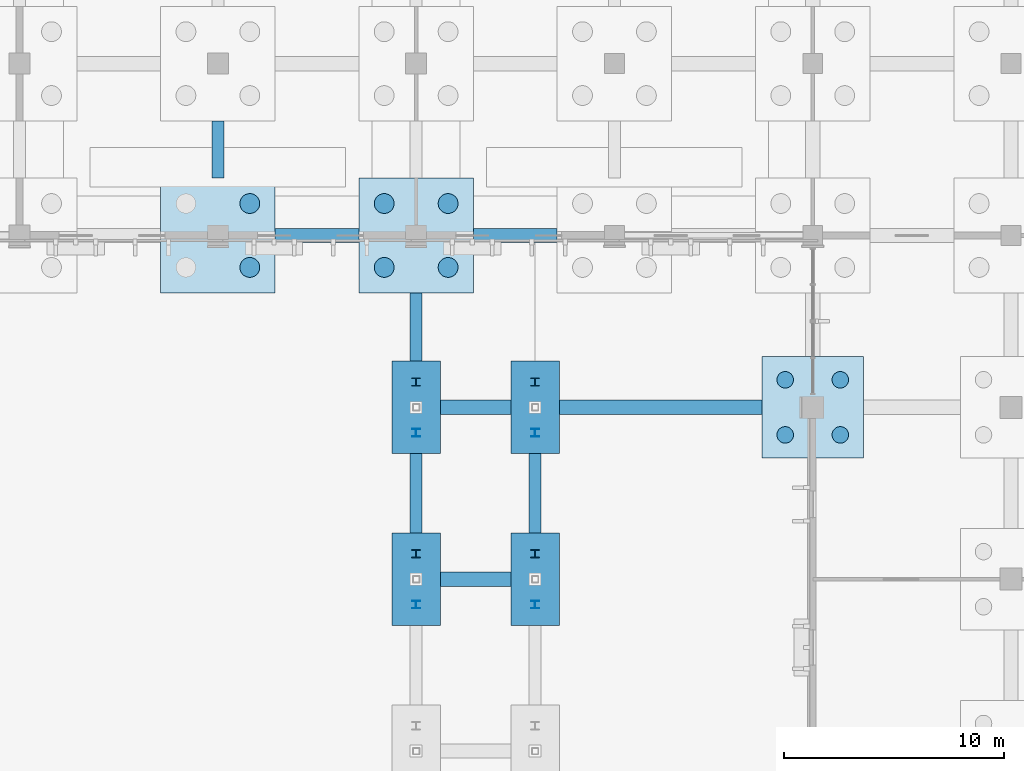
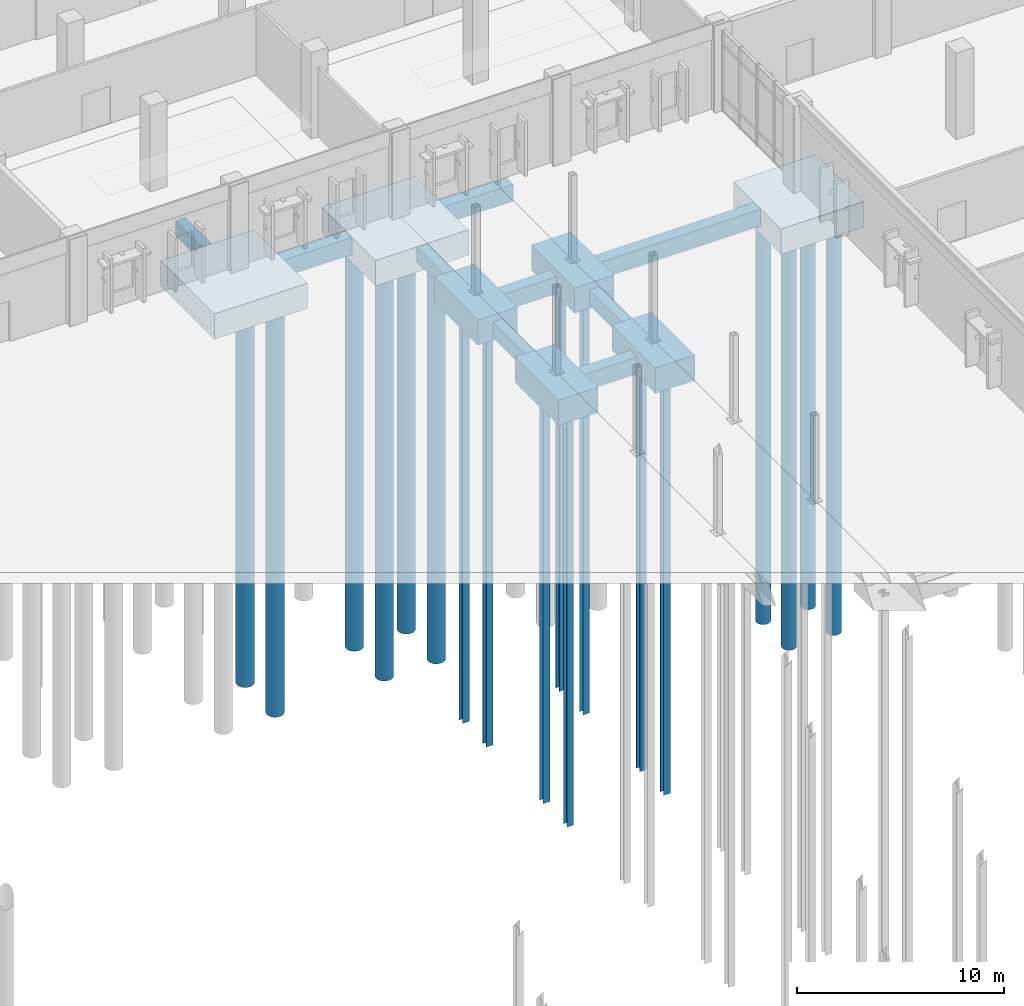
# One storey, part 10 of 94: 18 piles, 16 footings.
"""IFC4 building model written with IfcOpenShell, lengths in metres."""

from ifc_helpers import new_model, si_unit, direction, frame, origin, origin_2d, place, context, subcontext, project, spatial, rectangle, circle, i_section, extrude, material, material_profile, profile_set, type_object, element, save


model = new_model("IFC4")

# Units and contexts
model_context = context("Model", 3, precision=1e-05, world=origin(), true_north=direction((0.0, 1.0)))
body_context = subcontext(model_context, "Body", "Model", "MODEL_VIEW")
ifc_project = project(units=[si_unit("LENGTHUNIT", "METRE"), si_unit("AREAUNIT", "SQUARE_METRE"), si_unit("VOLUMEUNIT", "CUBIC_METRE"), si_unit("PLANEANGLEUNIT", "RADIAN"), si_unit("MASSUNIT", "GRAM", prefix="KILO")], contexts=[model_context])

# Site, building, storey
site_placement = place(None, origin())
site = spatial("IfcSite", under=ifc_project, at=site_placement, CompositionType="ELEMENT")
building_placement = place(site_placement, origin())
building = spatial("IfcBuilding", under=site, at=building_placement, Name="Vervanel Yard Central Library", CompositionType="ELEMENT")
storey_placement = place(building_placement, origin())
storey = spatial("IfcBuildingStorey", under=building, at=storey_placement, Name="L00", CompositionType="ELEMENT", Elevation=0.0)

# Piles
ifc_material_1 = material(Name="Concrete C40/50", Category="concrete")
ifc_material_profile_1 = material_profile(ifc_material_1, circle(Radius=0.375, at=origin_2d()), Name="BP D750", Category="concrete")
ifc_profile_set_1 = profile_set([ifc_material_profile_1], Name="Concrete C40/50")
pile_type_1 = type_object("IfcPileType", Name="Bored Concrete Pile D750", PredefinedType="BORED", material=ifc_profile_set_1)
for number, where, z_axis, x_axis, name in (
    (1, (88.75, 73.14990234375, -1.75), (0.0, 0.0, -1.0), (1.0, 0.0, 0.0), "Bored Concrete Pile 281 under PCAP-069"),
    (2, (91.25, 73.14990234375, -1.75), (0.0, 0.0, -1.0), (1.0, 0.0, 0.0), "Bored Concrete Pile 282 under PCAP-069"),
    (3, (88.75, 75.64990234375, -1.75), (0.0, 0.0, -1.0), (1.0, 0.0, 0.0), "Bored Concrete Pile 283 under PCAP-069"),
    (4, (91.25, 75.64990234375, -1.75), (0.0, 0.0, -1.0), (1.0, 0.0, 0.0), "Bored Concrete Pile 284 under PCAP-069"),
):
    element("IfcPile", number, at=place(storey_placement, frame(where, z_axis=z_axis, x_axis=x_axis)), inside=storey, type_object=pile_type_1, Name=name, PredefinedType="BORED", context=body_context, shape_type="SweptSolid", body=[
        extrude(circle(Radius=0.375, at=origin_2d()), origin(), (0.0, 0.0, 1.0), 24.25),
    ])
ifc_material_profile_2 = material_profile(ifc_material_1, circle(Radius=0.449951171875, at=origin_2d()), Name="BP D900", Category="concrete")
ifc_profile_set_2 = profile_set([ifc_material_profile_2], Name="Concrete C40/50")
pile_type_2 = type_object("IfcPileType", Name="Bored Concrete Pile D900", PredefinedType="BORED", material=ifc_profile_set_2)
for number, where, z_axis, x_axis, name in (
    (5, (64.449951171875, 80.75, -1.75), (0.0, 0.0, -1.0), (1.0, 0.0, 0.0), "Bored Concrete Pile 82 under PCAP-019"),
    (6, (64.449951171875, 83.64990234375, -1.75), (0.0, 0.0, -1.0), (1.0, 0.0, 0.0), "Bored Concrete Pile 84 under PCAP-019"),
    (7, (70.550048828125, 80.75, -1.75), (0.0, 0.0, -1.0), (1.0, 0.0, 0.0), "Bored Concrete Pile 101 under PCAP-024"),
    (8, (73.449951171875, 80.75, -1.75), (0.0, 0.0, -1.0), (1.0, 0.0, 0.0), "Bored Concrete Pile 102 under PCAP-024"),
    (9, (70.550048828125, 83.64990234375, -1.75), (0.0, 0.0, -1.0), (1.0, 0.0, 0.0), "Bored Concrete Pile 103 under PCAP-024"),
    (10, (73.449951171875, 83.64990234375, -1.75), (0.0, 0.0, -1.0), (1.0, 0.0, 0.0), "Bored Concrete Pile 104 under PCAP-024"),
):
    element("IfcPile", number, at=place(storey_placement, frame(where, z_axis=z_axis, x_axis=x_axis)), inside=storey, type_object=pile_type_2, Name=name, PredefinedType="BORED", context=body_context, shape_type="SweptSolid", body=[
        extrude(circle(Radius=0.449951171875, at=origin_2d()), origin(), (0.0, 0.0, 1.0), 24.25),
    ])

# Footings
footing_type_1 = type_object("IfcFootingType", Name="Bridge Pier 2-Pile Cap 2200x4200x1500", PredefinedType="PILE_CAP", material=ifc_material_1)
for number, where, z_axis, x_axis, name in (
    (11, (72.0, 66.60009765625, -1.50390625), (0.0, 0.0, 1.0), (1.0, 0.0, 0.0), "Combined Pile Cap PCAP-208 (PC-06)"),
    (12, (72.0, 74.39990234375, -1.50390625), (0.0, 0.0, 1.0), (1.0, 0.0, 0.0), "Combined Pile Cap PCAP-209 (PC-06)"),
    (13, (77.39990234375, 66.60009765625, -1.50390625), (0.0, 0.0, 1.0), (1.0, 0.0, 0.0), "Combined Pile Cap PCAP-215 (PC-06)"),
    (14, (77.39990234375, 74.39990234375, -1.50390625), (0.0, 0.0, 1.0), (1.0, 0.0, 0.0), "Combined Pile Cap PCAP-216 (PC-06)"),
):
    element("IfcFooting", number, at=place(storey_placement, frame(where, z_axis=z_axis, x_axis=x_axis)), inside=storey, type_object=footing_type_1, Name=name, PredefinedType="PILE_CAP", context=body_context, shape_type="SweptSolid", body=[
        extrude(rectangle(XDim=2.199951171875, YDim=4.199951171875, at=origin_2d()), origin(), (0.0, 0.0, 1.0), 1.5),
    ])
footing_type_2 = type_object("IfcFootingType", Name="Combined 4-Pile Cap 4600x4600x1500", PredefinedType="PILE_CAP", material=ifc_material_1)
footing_1_placement = place(storey_placement, frame((90.0, 74.39990234375, -1.89990234375), z_axis=(0.0, 0.0, 1.0), x_axis=(1.0, 0.0, 0.0)))
element("IfcFooting", 15, at=footing_1_placement, inside=storey, type_object=footing_type_2, Name="Combined Pile Cap PCAP-069 (PC-03)", PredefinedType="PILE_CAP", context=body_context, shape_type="SweptSolid", body=[
    extrude(rectangle(XDim=4.60009765625, YDim=4.60009765625, at=origin_2d()), origin(), (0.0, 0.0, 1.0), 1.5),
])
footing_type_3 = type_object("IfcFootingType", Name="Combined 4-Pile Heavy Cap 5200x5200x1500", PredefinedType="PILE_CAP", material=ifc_material_1)
for number, where, z_axis, x_axis, name in (
    (16, (63.0, 82.199951171875, -1.89990234375), (0.0, 0.0, 1.0), (1.0, 0.0, 0.0), "Combined Pile Cap PCAP-019 (PC-04)"),
    (17, (72.0, 82.199951171875, -1.89990234375), (0.0, 0.0, 1.0), (1.0, 0.0, 0.0), "Combined Pile Cap PCAP-024 (PC-04)"),
):
    element("IfcFooting", number, at=place(storey_placement, frame(where, z_axis=z_axis, x_axis=x_axis)), inside=storey, type_object=footing_type_3, Name=name, PredefinedType="PILE_CAP", context=body_context, shape_type="SweptSolid", body=[
        extrude(rectangle(XDim=5.199951171875, YDim=5.199951171875, at=origin_2d()), origin(), (0.0, 0.0, 1.0), 1.5),
    ])
ifc_material_profile_3 = material_profile(ifc_material_1, rectangle(XDim=0.550048828125, YDim=0.89990234375, at=origin_2d()), Name="RC 550x900", Category="concrete")
ifc_profile_set_3 = profile_set([ifc_material_profile_3], Name="Concrete C40/50")
footing_type_4 = type_object("IfcFootingType", Name="Concrete Footing Beam 550x900", PredefinedType="FOOTING_BEAM", material=ifc_profile_set_3)
footing_2_placement = place(storey_placement, frame((63.0, 84.800048828125, -0.8701171875), z_axis=(0.0, 1.0, 0.0), x_axis=(-1.0, 0.0, 0.0)))
element("IfcFooting", 18, at=footing_2_placement, inside=storey, type_object=footing_type_4, Name="Concrete Footing Beam FB-Y-210", PredefinedType="FOOTING_BEAM", context=body_context, shape_type="SweptSolid", body=[
    extrude(rectangle(XDim=0.550048828125, YDim=0.89990234375, at=origin_2d()), origin(), (0.0, 0.0, 1.0), 2.599853515625),
])
footing_3_placement = place(storey_placement, frame((72.0, 68.699951171875, -0.8701171875), z_axis=(0.0, 1.0, 0.0), x_axis=(-1.0, 0.0, 0.0)))
element("IfcFooting", 19, at=footing_3_placement, inside=storey, type_object=footing_type_4, Name="Concrete Footing Beam FB-Y-221", PredefinedType="FOOTING_BEAM", context=body_context, shape_type="SweptSolid", body=[
    extrude(rectangle(XDim=0.550048828125, YDim=0.89990234375, at=origin_2d()), origin(), (0.0, 0.0, 1.0), 3.60009765625),
])
footing_4_placement = place(storey_placement, frame((72.0, 76.5, -0.8701171875), z_axis=(0.0, 1.0, 0.0), x_axis=(-1.0, 0.0, 0.0)))
element("IfcFooting", 20, at=footing_4_placement, inside=storey, type_object=footing_type_4, Name="Concrete Footing Beam FB-Y-222", PredefinedType="FOOTING_BEAM", context=body_context, shape_type="SweptSolid", body=[
    extrude(rectangle(XDim=0.550048828125, YDim=0.89990234375, at=origin_2d()), origin(), (0.0, 0.0, 1.0), 3.10009765625),
])
footing_5_placement = place(storey_placement, frame((77.39990234375, 68.699951171875, -0.8701171875), z_axis=(0.0, 1.0, 0.0), x_axis=(-1.0, 0.0, 0.0)))
element("IfcFooting", 21, at=footing_5_placement, inside=storey, type_object=footing_type_4, Name="Concrete Footing Beam FB-Y-230", PredefinedType="FOOTING_BEAM", context=body_context, shape_type="SweptSolid", body=[
    extrude(rectangle(XDim=0.550048828125, YDim=0.89990234375, at=origin_2d()), origin(), (0.0, 0.0, 1.0), 3.60009765625),
])
ifc_material_profile_4 = material_profile(ifc_material_1, rectangle(XDim=0.64990234375, YDim=1.0, at=origin_2d()), Name="RC 650x1000", Category="concrete")
ifc_profile_set_4 = profile_set([ifc_material_profile_4], Name="Concrete C40/50")
footing_type_5 = type_object("IfcFootingType", Name="Concrete Footing Beam 650x1000", PredefinedType="FOOTING_BEAM", material=ifc_profile_set_4)
for number, where, z_axis, x_axis, name in (
    (22, (73.10009765625, 66.60009765625, -0.919921875), (1.0, 0.0, 0.0), (0.0, 1.0, 0.0), "Concrete Footing Beam FB-X-070"),
    (23, (73.10009765625, 74.39990234375, -0.919921875), (1.0, 0.0, 0.0), (0.0, 1.0, 0.0), "Concrete Footing Beam FB-X-080"),
):
    element("IfcFooting", number, at=place(storey_placement, frame(where, z_axis=z_axis, x_axis=x_axis)), inside=storey, type_object=footing_type_5, Name=name, PredefinedType="FOOTING_BEAM", context=body_context, shape_type="SweptSolid", body=[
        extrude(rectangle(XDim=0.64990234375, YDim=1.0, at=origin_2d()), origin(), (0.0, 0.0, 1.0), 3.199951171875),
    ])
footing_6_placement = place(storey_placement, frame((78.5, 74.39990234375, -0.919921875), z_axis=(1.0, 0.0, 0.0), x_axis=(0.0, 1.0, 0.0)))
element("IfcFooting", 24, at=footing_6_placement, inside=storey, type_object=footing_type_5, Name="Concrete Footing Beam FB-X-081", PredefinedType="FOOTING_BEAM", context=body_context, shape_type="SweptSolid", body=[
    extrude(rectangle(XDim=0.64990234375, YDim=1.0, at=origin_2d()), origin(), (0.0, 0.0, 1.0), 9.199951171875),
])
for number, where, z_axis, x_axis, name in (
    (25, (65.60009765625, 82.199951171875, -0.919921875), (1.0, 0.0, 0.0), (0.0, 1.0, 0.0), "Concrete Footing Beam FB-X-100"),
    (26, (74.60009765625, 82.199951171875, -0.919921875), (1.0, 0.0, 0.0), (0.0, 1.0, 0.0), "Concrete Footing Beam FB-X-101"),
):
    element("IfcFooting", number, at=place(storey_placement, frame(where, z_axis=z_axis, x_axis=x_axis)), inside=storey, type_object=footing_type_5, Name=name, PredefinedType="FOOTING_BEAM", context=body_context, shape_type="SweptSolid", body=[
        extrude(rectangle(XDim=0.64990234375, YDim=1.0, at=origin_2d()), origin(), (0.0, 0.0, 1.0), 3.7998046875),
    ])

# Piles
ifc_material_2 = material(Name="Steel ASTM A992 Grade 50", Category="steel")
ifc_material_profile_5 = material_profile(ifc_material_2, i_section(OverallWidth=0.37841796875, OverallDepth=0.360595703125, WebThickness=0.0205078125, FlangeThickness=0.0205078125, at=origin_2d()), Name="HP14X117", Category="steel")
ifc_profile_set_5 = profile_set([ifc_material_profile_5], Name="Steel ASTM A992 Grade 50")
pile_type_3 = type_object("IfcPileType", Name="Driven Steel H-Pile HP14X117", PredefinedType="DRIVEN", material=ifc_profile_set_5)
for number, where, z_axis, x_axis, name in (
    (27, (72.0, 67.75, -26.0), (0.0, 0.0, 1.0), (1.0, 0.0, 0.0), "Driven Steel Pile 622 under PCAP-208"),
    (28, (72.0, 75.550048828125, -26.0), (0.0, 0.0, 1.0), (1.0, 0.0, 0.0), "Driven Steel Pile 624 under PCAP-209"),
    (29, (77.39990234375, 67.75, -26.0), (0.0, 0.0, 1.0), (1.0, 0.0, 0.0), "Driven Steel Pile 636 under PCAP-215"),
    (30, (77.39990234375, 75.550048828125, -26.0), (0.0, 0.0, 1.0), (1.0, 0.0, 0.0), "Driven Steel Pile 638 under PCAP-216"),
):
    element("IfcPile", number, at=place(storey_placement, frame(where, z_axis=z_axis, x_axis=x_axis)), inside=storey, type_object=pile_type_3, Name=name, PredefinedType="DRIVEN", context=body_context, shape_type="SweptSolid", body=[
        extrude(i_section(OverallWidth=0.37841796875, OverallDepth=0.360595703125, WebThickness=0.0205078125, FlangeThickness=0.0205078125, at=origin_2d()), origin(), (0.0, 0.0, 1.0), 24.64599609375),
    ])
ifc_material_profile_6 = material_profile(ifc_material_2, i_section(OverallWidth=0.373291015625, OverallDepth=0.3505859375, WebThickness=0.015625, FlangeThickness=0.015625, at=origin_2d()), Name="HP14X89", Category="steel")
ifc_profile_set_6 = profile_set([ifc_material_profile_6], Name="Steel ASTM A992 Grade 50")
pile_type_4 = type_object("IfcPileType", Name="Driven Steel H-Pile HP14X89", PredefinedType="DRIVEN", material=ifc_profile_set_6)
for number, where, z_axis, x_axis, name in (
    (31, (72.0, 65.449951171875, -26.0), (0.0, 0.0, 1.0), (1.0, 0.0, 0.0), "Driven Steel Pile 621 under PCAP-208"),
    (32, (72.0, 73.25, -26.0), (0.0, 0.0, 1.0), (1.0, 0.0, 0.0), "Driven Steel Pile 623 under PCAP-209"),
    (33, (77.39990234375, 65.449951171875, -26.0), (0.0, 0.0, 1.0), (1.0, 0.0, 0.0), "Driven Steel Pile 635 under PCAP-215"),
    (34, (77.39990234375, 73.25, -26.0), (0.0, 0.0, 1.0), (1.0, 0.0, 0.0), "Driven Steel Pile 637 under PCAP-216"),
):
    element("IfcPile", number, at=place(storey_placement, frame(where, z_axis=z_axis, x_axis=x_axis)), inside=storey, type_object=pile_type_4, Name=name, PredefinedType="DRIVEN", context=body_context, shape_type="SweptSolid", body=[
        extrude(i_section(OverallWidth=0.373291015625, OverallDepth=0.3505859375, WebThickness=0.015625, FlangeThickness=0.015625, at=origin_2d()), origin(), (0.0, 0.0, 1.0), 24.64599609375),
    ])

save(model, "model.ifc")
